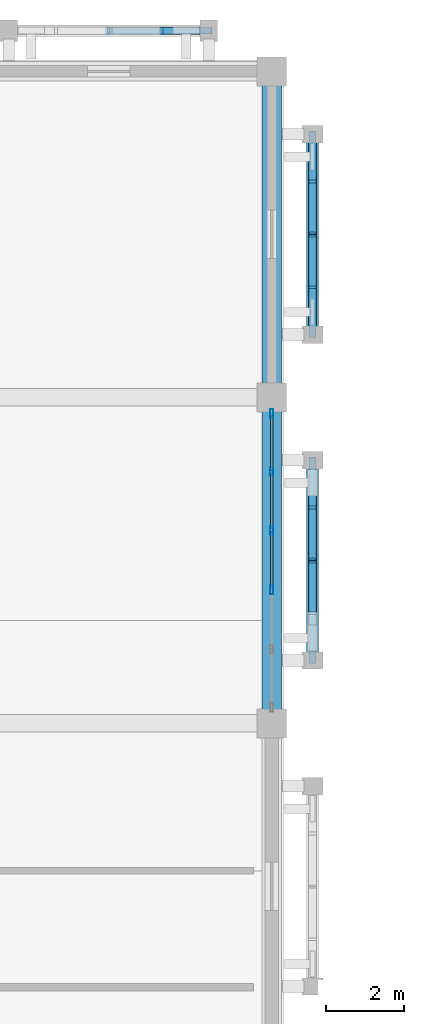
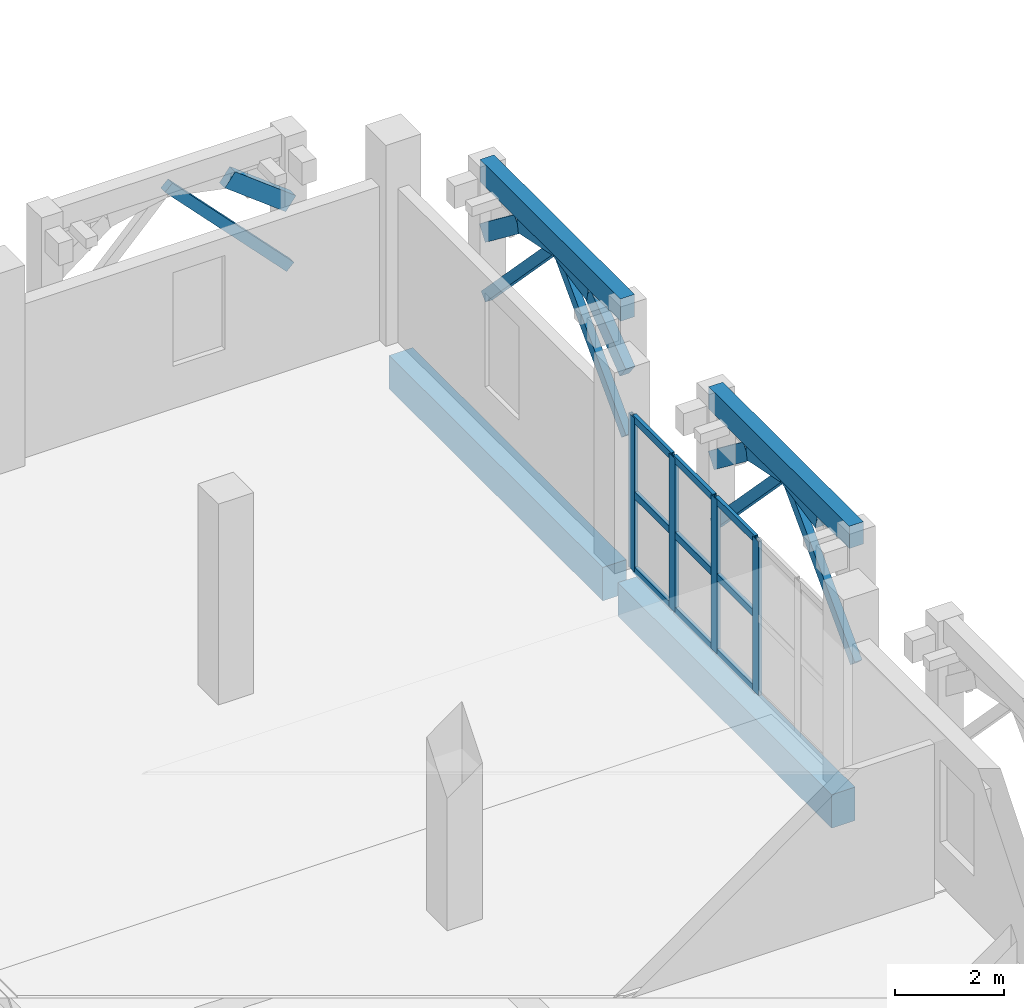
# One storey, part 58 of 114: 26 members, 4 beams, 1 element without a shape of its own.
"""IFC4 building model written with IfcOpenShell, lengths in metres."""

import ifcopenshell
import ifcopenshell.guid

model = None  # the IFC model being written
_history = None  # IfcOwnerHistory: only IFC2X3 demands one
_inside = {}  # id of a spatial element -> (the spatial element, [elements in it])
_under = {}  # id of a project, library or spatial element -> (it, [spatial elements below it])
_declared = {}  # id of a project -> (the project, [libraries it declares])
_typed = {}  # id of a type object -> (the type object, [elements of that type])
_made_of = {}  # id of a material, layer set ... -> (it, [elements and type objects made of it])


def new_model(schema):
    """Start an empty IFC model of exactly this schema.

    Asked for "IFC4X3", IfcOpenShell would pick the latest addendum, in which some entities
    have other attributes; the version numbers below select the first issue.
    IFC2X3 requires an IfcOwnerHistory on every rooted entity: one is made here for all.
    """
    global model, _history
    if schema == "IFC4X3":
        model = ifcopenshell.file(schema_version=(4, 3, 0, 0))
    else:
        model = ifcopenshell.file(schema=schema)
    _inside.clear()
    _under.clear()
    _declared.clear()
    _typed.clear()
    _made_of.clear()
    _history = None
    if model.schema == "IFC2X3":
        org = make("IfcOrganization", Name="unknown")
        user = make(
            "IfcPersonAndOrganization",
            ThePerson=make("IfcPerson", FamilyName="unknown"),
            TheOrganization=org,
        )
        app = make(
            "IfcApplication",
            ApplicationDeveloper=org,
            Version="unknown",
            ApplicationFullName="unknown",
            ApplicationIdentifier="unknown",
        )
        _history = make(
            "IfcOwnerHistory",
            OwningUser=user,
            OwningApplication=app,
            ChangeAction="ADDED",
            CreationDate=0,
        )
    return model


def make(cls, **values):
    """One entity of the class cls with the attributes given. An attribute that is None is left unset."""
    return model.create_entity(
        cls, **{name: value for name, value in values.items() if value is not None}
    )


def rooted(cls, **values):
    """An entity with a GlobalId (a new one), such as an element, a storey or a relation."""
    return make(cls, GlobalId=ifcopenshell.guid.new(), OwnerHistory=_history, **values)


def si_unit(unit_type, name, prefix=None):
    """IfcSIUnit, for example si_unit("LENGTHUNIT", "METRE", prefix="MILLI")."""
    return make("IfcSIUnit", UnitType=unit_type, Prefix=prefix, Name=name)


def assignment(units):
    """IfcUnitAssignment: the units of a project."""
    return None if units is None else make("IfcUnitAssignment", Units=units)


def point(xyz):
    """IfcCartesianPoint."""
    return None if xyz is None else make("IfcCartesianPoint", Coordinates=xyz)


def direction(xyz):
    """IfcDirection."""
    return None if xyz is None else make("IfcDirection", DirectionRatios=xyz)


def frame(location, z_axis=None, x_axis=None):
    """IfcAxis2Placement3D, a coordinate frame: its origin and axes. An axis left out is left unset."""
    return make(
        "IfcAxis2Placement3D",
        Location=point(location),
        Axis=direction(z_axis),
        RefDirection=direction(x_axis),
    )


def frame_2d(location, x_axis=None):
    """IfcAxis2Placement2D, a coordinate frame in the plane: its origin and x axis."""
    return make(
        "IfcAxis2Placement2D", Location=point(location), RefDirection=direction(x_axis)
    )


def origin():
    """The frame at (0, 0, 0) with its axes left unset."""
    return frame((0.0, 0.0, 0.0))


def origin_2d():
    """The frame at (0, 0) in the plane with its x axis left unset."""
    return frame_2d((0.0, 0.0))


def place(relative_to, where):
    """IfcLocalPlacement: puts the frame where relative to a parent placement (None: the world)."""
    return make(
        "IfcLocalPlacement", PlacementRelTo=relative_to, RelativePlacement=where
    )


def context(
    kind, dimensions, precision=None, world=None, true_north=None, identifier=None
):
    """IfcGeometricRepresentationContext, for example the 3D "Model" context."""
    return make(
        "IfcGeometricRepresentationContext",
        ContextIdentifier=identifier,
        ContextType=kind,
        CoordinateSpaceDimension=dimensions,
        Precision=precision,
        WorldCoordinateSystem=world,
        TrueNorth=true_north,
    )


def subcontext(parent, identifier, kind, view, scale=None):
    """IfcGeometricRepresentationSubContext, for example "Body" below "Model"."""
    return make(
        "IfcGeometricRepresentationSubContext",
        ContextIdentifier=identifier,
        ContextType=kind,
        ParentContext=parent,
        TargetScale=scale,
        TargetView=view,
    )


def project(units=None, contexts=None):
    """IfcProject with its units and contexts."""
    return rooted(
        "IfcProject",
        Name="project",
        RepresentationContexts=contexts,
        UnitsInContext=assignment(units),
    )


def spatial(cls, under=None, at=None, **own):
    """A site, building, storey or space (cls), placed at a placement, below another one or the project."""
    s = rooted(cls, ObjectPlacement=at, **own)
    if under is not None:
        _under.setdefault(under.id(), (under, []))[1].append(s)
    return s


def profile(cls, at=None, kind="AREA", **sizes):
    """A parametric profile (cls). Its sizes go by their IFC names, for example OverallWidth=200.0."""
    return make(cls, ProfileType=kind, Position=at, **sizes)


def rectangle(**sizes):
    """IfcRectangleProfileDef."""
    return profile("IfcRectangleProfileDef", **sizes)


def hollow_rectangle(**sizes):
    """IfcRectangleHollowProfileDef."""
    return profile("IfcRectangleHollowProfileDef", **sizes)


def extrude(swept, where, along, depth):
    """IfcExtrudedAreaSolid: the profile swept, set in the frame where, extruded along a direction by depth."""
    return make(
        "IfcExtrudedAreaSolid",
        SweptArea=swept,
        Position=where,
        ExtrudedDirection=direction(along),
        Depth=depth,
    )


def shape(context_of_items, identifier, shape_type, items):
    """IfcShapeRepresentation: the items that make up one representation, for example the "Body"."""
    return make(
        "IfcShapeRepresentation",
        ContextOfItems=context_of_items,
        RepresentationIdentifier=identifier,
        RepresentationType=shape_type,
        Items=items,
    )


def material(Name=None, Category=None):
    """IfcMaterial."""
    return make("IfcMaterial", Name=Name, Category=Category)


def layer(
    of_material, thickness, ventilated=None, Name=None, Category=None, Priority=None
):
    """IfcMaterialLayer: one layer of a wall or slab, of a material (None: an air gap)."""
    return make(
        "IfcMaterialLayer",
        Material=of_material,
        LayerThickness=thickness,
        IsVentilated=ventilated,
        Name=Name,
        Category=Category,
        Priority=Priority,
    )


def layer_set(layers, Name=None):
    """IfcMaterialLayerSet."""
    return make("IfcMaterialLayerSet", MaterialLayers=layers, LayerSetName=Name)


def material_profile(
    of_material, cross_section, Name=None, Category=None, Priority=None
):
    """IfcMaterialProfile: a cross section and its material."""
    return make(
        "IfcMaterialProfile",
        Name=Name,
        Material=of_material,
        Profile=cross_section,
        Priority=Priority,
        Category=Category,
    )


def profile_set(profiles, Name=None, composite=None):
    """IfcMaterialProfileSet."""
    return make(
        "IfcMaterialProfileSet",
        Name=Name,
        MaterialProfiles=profiles,
        CompositeProfile=composite,
    )


def made_of(thing, what):
    """Note that an element or type object is made of a material, layer set ...; save() writes the relation."""
    if what is not None:
        _made_of.setdefault(what.id(), (what, []))[1].append(thing)
    return thing


def type_object(cls, material=None, **own):
    """A type object (cls), such as IfcWallType, which elements share."""
    return made_of(rooted(cls, **own), material)


def element(
    cls,
    number,
    at=None,
    inside=None,
    cuts=None,
    type_object=None,
    material=None,
    context=None,
    identifier="Body",
    shape_type=None,
    held_by="IfcProductDefinitionShape",
    body=None,
    shapes=None,
    **own,
):
    """One element of the class cls, such as IfcWall. Its Tag is "e" and its number.

    at: its placement. inside: the storey or other place that contains it. cuts: it is an
    opening in that element (IfcRelVoidsElement). A single representation is given by context,
    identifier, shape_type and body (its items); several are given by shapes. held_by: the class
    of the entity that holds the representations. save() writes the other relations.
    """
    e = rooted(cls, Tag="e%d" % number, ObjectPlacement=at, **own)
    if body is not None:
        shapes = [shape(context, identifier, shape_type, body)]
    if shapes is not None:
        e.Representation = make(held_by, Representations=shapes)
    if inside is not None:
        _inside.setdefault(inside.id(), (inside, []))[1].append(e)
    if cuts is not None:
        rooted(
            "IfcRelVoidsElement", RelatingBuildingElement=cuts, RelatedOpeningElement=e
        )
    if type_object is not None:
        _typed.setdefault(type_object.id(), (type_object, []))[1].append(e)
    return made_of(e, material)


def aggregate(whole, parts):
    """IfcRelAggregates: a whole, such as a stair, and the parts it consists of."""
    return rooted("IfcRelAggregates", RelatingObject=whole, RelatedObjects=parts)


def save(model, path):
    """Write the relations noted so far, then the file.

    IfcRelAggregates (storeys below a building ...), IfcRelContainedInSpatialStructure (elements
    in a storey), IfcRelDefinesByType, IfcRelAssociatesMaterial and IfcRelDeclares: one each for
    every whole, place, type object, material and project.
    """
    for whole, parts in _under.values():
        aggregate(whole, parts)
    for where, things in _inside.values():
        rooted(
            "IfcRelContainedInSpatialStructure",
            RelatedElements=things,
            RelatingStructure=where,
        )
    for kind, things in _typed.values():
        rooted("IfcRelDefinesByType", RelatedObjects=things, RelatingType=kind)
    for what, things in _made_of.values():
        rooted("IfcRelAssociatesMaterial", RelatedObjects=things, RelatingMaterial=what)
    for by, libraries in _declared.values():
        rooted("IfcRelDeclares", RelatingContext=by, RelatedDefinitions=libraries)
    model.write(path)


model = new_model("IFC4")

# Units and contexts
model_context = context("Model", 3, precision=1e-05, world=origin(), true_north=direction((0.0, 1.0)))
body_context = subcontext(model_context, "Body", "Model", "MODEL_VIEW")
ifc_project = project(units=[si_unit("LENGTHUNIT", "METRE"), si_unit("AREAUNIT", "SQUARE_METRE"), si_unit("VOLUMEUNIT", "CUBIC_METRE"), si_unit("PLANEANGLEUNIT", "RADIAN"), si_unit("MASSUNIT", "GRAM", prefix="KILO")], contexts=[model_context])

# Site, building, storey
site_placement = place(None, origin())
site = spatial("IfcSite", under=ifc_project, at=site_placement, CompositionType="ELEMENT")
building_placement = place(site_placement, origin())
building = spatial("IfcBuilding", under=site, at=building_placement, Name="Xazarin Passage Department Store", CompositionType="ELEMENT")
storey_placement = place(building_placement, frame((0.0, 0.0, 14.39990234375)))
storey = spatial("IfcBuildingStorey", under=building, at=storey_placement, Name="L03", CompositionType="ELEMENT", Elevation=14.39990234375)

# Curtain wall, members
ifc_material_1 = material(Name="Bronze anodised aluminium", Category="aluminium")
ifc_layer = layer(ifc_material_1, 0.199951171875)
ifc_layer_set = layer_set([ifc_layer], Name="Bronze anodised aluminium")
curtain_wall_type = type_object("IfcCurtainWallType", Name="ARC-CW-VIT2", PredefinedType="NOTDEFINED", material=ifc_layer_set)
curtain_wall_placement = place(storey_placement, origin())
curtain_wall = element("IfcCurtainWall", 1, at=curtain_wall_placement, inside=storey, type_object=curtain_wall_type, Name="L03 V1 Curtain Wall 066", PredefinedType="NOTDEFINED")
ifc_material_profile_1 = material_profile(ifc_material_1, hollow_rectangle(XDim=0.074951171875, YDim=0.219970703125, WallThickness=0.0048828125, at=origin_2d()), Name="ALU 75x220")
ifc_profile_set_1 = profile_set([ifc_material_profile_1], Name="Bronze anodised aluminium")
member_type_1 = type_object("IfcMemberType", Name="ARC-CWM-75x220", PredefinedType="MULLION", material=ifc_profile_set_1)
member_1_placement = place(storey_placement, frame((50.39990234375, 96.635009765625, 0.0), z_axis=(0.0, 0.0, 1.0), x_axis=(-1.0, 0.0, 0.0)))
member_1 = element("IfcMember", 2, at=member_1_placement, type_object=member_type_1, Name="CW2 mullion 3", PredefinedType="MULLION", context=body_context, shape_type="SweptSolid", body=[
    extrude(hollow_rectangle(XDim=0.074951171875, YDim=0.219970703125, WallThickness=0.0048828125, at=origin_2d()), origin(), (0.0, 0.0, 1.0), 3.4501953125),
])
member_2_placement = place(storey_placement, frame((50.39990234375, 98.1650390625, 0.0), z_axis=(0.0, 0.0, 1.0), x_axis=(-1.0, 0.0, 0.0)))
member_2 = element("IfcMember", 3, at=member_2_placement, type_object=member_type_1, Name="CW2 mullion 4", PredefinedType="MULLION", context=body_context, shape_type="SweptSolid", body=[
    extrude(hollow_rectangle(XDim=0.074951171875, YDim=0.219970703125, WallThickness=0.0048828125, at=origin_2d()), origin(), (0.0, 0.0, 1.0), 3.4501953125),
])
member_3_placement = place(storey_placement, frame((50.39990234375, 99.695068359375, 0.0), z_axis=(0.0, 0.0, 1.0), x_axis=(-1.0, 0.0, 0.0)))
member_3 = element("IfcMember", 4, at=member_3_placement, type_object=member_type_1, Name="CW2 mullion 5", PredefinedType="MULLION", context=body_context, shape_type="SweptSolid", body=[
    extrude(hollow_rectangle(XDim=0.074951171875, YDim=0.219970703125, WallThickness=0.0048828125, at=origin_2d()), origin(), (0.0, 0.0, 1.0), 3.4501953125),
])
member_4_placement = place(storey_placement, frame((50.39990234375, 101.1875, 0.0), z_axis=(0.0, 0.0, 1.0), x_axis=(-1.0, 0.0, 0.0)))
member_4 = element("IfcMember", 5, at=member_4_placement, type_object=member_type_1, Name="CW2 mullion 6", PredefinedType="MULLION", context=body_context, shape_type="SweptSolid", body=[
    extrude(hollow_rectangle(XDim=0.074951171875, YDim=0.219970703125, WallThickness=0.0048828125, at=origin_2d()), origin(), (0.0, 0.0, 1.0), 3.4501953125),
])
ifc_material_profile_2 = material_profile(ifc_material_1, hollow_rectangle(XDim=0.074951171875, YDim=0.159912109375, WallThickness=0.00439453125, at=origin_2d()), Name="ALU 75x160")
ifc_profile_set_2 = profile_set([ifc_material_profile_2], Name="Bronze anodised aluminium")
member_type_2 = type_object("IfcMemberType", Name="ARC-CWT-75x160", PredefinedType="USERDEFINED", material=ifc_profile_set_2)
member_5_placement = place(storey_placement, frame((50.39990234375, 96.672607421875, 0.03759765625), z_axis=(0.0, 1.0, 0.0), x_axis=(-1.0, 0.0, 0.0)))
member_5 = element("IfcMember", 6, at=member_5_placement, type_object=member_type_2, Name="CW2 transom 3.1", ObjectType="TRANSOM", PredefinedType="USERDEFINED", context=body_context, shape_type="SweptSolid", body=[
    extrude(hollow_rectangle(XDim=0.074951171875, YDim=0.159912109375, WallThickness=0.00439453125, at=origin_2d()), origin(), (0.0, 0.0, 1.0), 1.454833984375),
])
member_6_placement = place(storey_placement, frame((50.39990234375, 96.672607421875, 1.72509765625), z_axis=(0.0, 1.0, 0.0), x_axis=(-1.0, 0.0, 0.0)))
member_6 = element("IfcMember", 7, at=member_6_placement, type_object=member_type_2, Name="CW2 transom 3.2", ObjectType="TRANSOM", PredefinedType="USERDEFINED", context=body_context, shape_type="SweptSolid", body=[
    extrude(hollow_rectangle(XDim=0.074951171875, YDim=0.159912109375, WallThickness=0.00439453125, at=origin_2d()), origin(), (0.0, 0.0, 1.0), 1.454833984375),
])
member_7_placement = place(storey_placement, frame((50.39990234375, 96.672607421875, 3.41259765625), z_axis=(0.0, 1.0, 0.0), x_axis=(-1.0, 0.0, 0.0)))
member_7 = element("IfcMember", 8, at=member_7_placement, type_object=member_type_2, Name="CW2 transom 3.3", ObjectType="TRANSOM", PredefinedType="USERDEFINED", context=body_context, shape_type="SweptSolid", body=[
    extrude(hollow_rectangle(XDim=0.074951171875, YDim=0.159912109375, WallThickness=0.00439453125, at=origin_2d()), origin(), (0.0, 0.0, 1.0), 1.454833984375),
])
member_8_placement = place(storey_placement, frame((50.39990234375, 98.202392578125, 0.03759765625), z_axis=(0.0, 1.0, 0.0), x_axis=(-1.0, 0.0, 0.0)))
member_8 = element("IfcMember", 9, at=member_8_placement, type_object=member_type_2, Name="CW2 transom 4.1", ObjectType="TRANSOM", PredefinedType="USERDEFINED", context=body_context, shape_type="SweptSolid", body=[
    extrude(hollow_rectangle(XDim=0.074951171875, YDim=0.159912109375, WallThickness=0.00439453125, at=origin_2d()), origin(), (0.0, 0.0, 1.0), 1.455078125),
])
member_9_placement = place(storey_placement, frame((50.39990234375, 98.202392578125, 1.72509765625), z_axis=(0.0, 1.0, 0.0), x_axis=(-1.0, 0.0, 0.0)))
member_9 = element("IfcMember", 10, at=member_9_placement, type_object=member_type_2, Name="CW2 transom 4.2", ObjectType="TRANSOM", PredefinedType="USERDEFINED", context=body_context, shape_type="SweptSolid", body=[
    extrude(hollow_rectangle(XDim=0.074951171875, YDim=0.159912109375, WallThickness=0.00439453125, at=origin_2d()), origin(), (0.0, 0.0, 1.0), 1.455078125),
])
member_10_placement = place(storey_placement, frame((50.39990234375, 98.202392578125, 3.41259765625), z_axis=(0.0, 1.0, 0.0), x_axis=(-1.0, 0.0, 0.0)))
member_10 = element("IfcMember", 11, at=member_10_placement, type_object=member_type_2, Name="CW2 transom 4.3", ObjectType="TRANSOM", PredefinedType="USERDEFINED", context=body_context, shape_type="SweptSolid", body=[
    extrude(hollow_rectangle(XDim=0.074951171875, YDim=0.159912109375, WallThickness=0.00439453125, at=origin_2d()), origin(), (0.0, 0.0, 1.0), 1.455078125),
])
member_11_placement = place(storey_placement, frame((50.39990234375, 99.732421875, 0.03759765625), z_axis=(0.0, 1.0, 0.0), x_axis=(-1.0, 0.0, 0.0)))
member_11 = element("IfcMember", 12, at=member_11_placement, type_object=member_type_2, Name="CW2 transom 5.1", ObjectType="TRANSOM", PredefinedType="USERDEFINED", context=body_context, shape_type="SweptSolid", body=[
    extrude(hollow_rectangle(XDim=0.074951171875, YDim=0.159912109375, WallThickness=0.00439453125, at=origin_2d()), origin(), (0.0, 0.0, 1.0), 1.41748046875),
])
member_12_placement = place(storey_placement, frame((50.39990234375, 99.732421875, 1.72509765625), z_axis=(0.0, 1.0, 0.0), x_axis=(-1.0, 0.0, 0.0)))
member_12 = element("IfcMember", 13, at=member_12_placement, type_object=member_type_2, Name="CW2 transom 5.2", ObjectType="TRANSOM", PredefinedType="USERDEFINED", context=body_context, shape_type="SweptSolid", body=[
    extrude(hollow_rectangle(XDim=0.074951171875, YDim=0.159912109375, WallThickness=0.00439453125, at=origin_2d()), origin(), (0.0, 0.0, 1.0), 1.41748046875),
])
member_13_placement = place(storey_placement, frame((50.39990234375, 99.732421875, 3.41259765625), z_axis=(0.0, 1.0, 0.0), x_axis=(-1.0, 0.0, 0.0)))
member_13 = element("IfcMember", 14, at=member_13_placement, type_object=member_type_2, Name="CW2 transom 5.3", ObjectType="TRANSOM", PredefinedType="USERDEFINED", context=body_context, shape_type="SweptSolid", body=[
    extrude(hollow_rectangle(XDim=0.074951171875, YDim=0.159912109375, WallThickness=0.00439453125, at=origin_2d()), origin(), (0.0, 0.0, 1.0), 1.41748046875),
])
aggregate(curtain_wall, [member_1, member_2, member_3, member_4, member_5, member_6, member_7, member_8, member_9, member_10, member_11, member_12, member_13])

# Beams
ifc_material_2 = material(Name="Concrete C35/45", Category="concrete")
ifc_material_profile_3 = material_profile(ifc_material_2, rectangle(XDim=0.300048828125, YDim=0.5, at=origin_2d()), Name="RC 300x500")
ifc_profile_set_3 = profile_set([ifc_material_profile_3], Name="Concrete C35/45")
beam_type_1 = type_object("IfcBeamType", Name="STR-BM-LN300x500", PredefinedType="LINTEL", material=ifc_profile_set_3)
for number, where, z_axis, x_axis, name in (
    (15, (51.449951171875, 94.820068359375, 4.25), (0.0, 1.0, 0.0), (-1.0, 0.0, 0.0), "L03 V1 Colonnade Spandrel Beam 015"),
    (16, (51.449951171875, 103.219970703125, 4.25), (0.0, 1.0, 0.0), (-1.0, 0.0, 0.0), "L03 V1 Colonnade Spandrel Beam 016"),
):
    element("IfcBeam", number, at=place(storey_placement, frame(where, z_axis=z_axis, x_axis=x_axis)), inside=storey, type_object=beam_type_1, Name=name, PredefinedType="LINTEL", context=body_context, shape_type="SweptSolid", body=[
        extrude(rectangle(XDim=0.300048828125, YDim=0.5, at=origin_2d()), origin(), (0.0, 0.0, 1.0), 5.159912109375),
    ])
ifc_material_profile_4 = material_profile(ifc_material_2, rectangle(XDim=0.5, YDim=0.75, at=origin_2d()), Name="RC 500x750")
ifc_profile_set_4 = profile_set([ifc_material_profile_4], Name="Concrete C35/45")
beam_type_2 = type_object("IfcBeamType", Name="STR-BM-SP500x750", PredefinedType="SPANDREL", material=ifc_profile_set_4)
for number, where, z_axis, x_axis, name in (
    (17, (50.39990234375, 93.47998046875, -0.6748046875), (0.0, 1.0, 0.0), (-1.0, 0.0, 0.0), "L03 Grid Beam 7/N-P"),
    (18, (50.39990234375, 101.8798828125, -0.6748046875), (0.0, 1.0, 0.0), (-1.0, 0.0, 0.0), "L03 Grid Beam 7/P-Q"),
):
    element("IfcBeam", number, at=place(storey_placement, frame(where, z_axis=z_axis, x_axis=x_axis)), inside=storey, type_object=beam_type_2, Name=name, PredefinedType="SPANDREL", context=body_context, shape_type="SweptSolid", body=[
        extrude(rectangle(XDim=0.5, YDim=0.75, at=origin_2d()), origin(), (0.0, 0.0, 1.0), 7.840087890625),
    ])

# Members
ifc_material_3 = material(Name="Concrete C40/50", Category="concrete")
ifc_material_profile_5 = material_profile(ifc_material_3, rectangle(XDim=0.199951171875, YDim=0.360107421875, at=origin_2d()), Name="RC 200x360")
ifc_profile_set_5 = profile_set([ifc_material_profile_5], Name="Concrete C40/50")
member_type_3 = type_object("IfcMemberType", Name="STR-MEM-ARC360", PredefinedType="CHORD", material=ifc_profile_set_5)
member_14_placement = place(storey_placement, frame((47.489990234375, 111.050048828125, 3.81640625), z_axis=(0.79440903847, 0.0, -0.607383140692), x_axis=(0.0, 1.0, 0.0)))
element("IfcMember", 19, at=member_14_placement, inside=storey, type_object=member_type_3, Name="L03 V1 Pierced Lattice Curved Arch 004.4", PredefinedType="CHORD", context=body_context, shape_type="SweptSolid", body=[
    extrude(rectangle(XDim=0.199951171875, YDim=0.360107421875, at=origin_2d()), origin(), (0.0, 0.0, 1.0), 1.623779296875),
])
member_15_placement = place(storey_placement, frame((51.449951171875, 96.110107421875, 3.81640625), z_axis=(0.0, 0.979737268571, 0.2002870055), x_axis=(-1.0, 0.0, 0.0)))
element("IfcMember", 20, at=member_15_placement, inside=storey, type_object=member_type_3, Name="L03 V1 Pierced Lattice Curved Arch 015.2", PredefinedType="CHORD", context=body_context, shape_type="SweptSolid", body=[
    extrude(rectangle(XDim=0.199951171875, YDim=0.360107421875, at=origin_2d()), origin(), (0.0, 0.0, 1.0), 1.31640625),
])
member_16_placement = place(storey_placement, frame((51.449951171875, 97.39990234375, 4.080078125), z_axis=(0.0, 0.979744705887, -0.200250621188), x_axis=(-1.0, 0.0, 0.0)))
element("IfcMember", 21, at=member_16_placement, inside=storey, type_object=member_type_3, Name="L03 V1 Pierced Lattice Curved Arch 015.3", PredefinedType="CHORD", context=body_context, shape_type="SweptSolid", body=[
    extrude(rectangle(XDim=0.199951171875, YDim=0.360107421875, at=origin_2d()), origin(), (0.0, 0.0, 1.0), 1.316650390625),
])
for number, where, z_axis, x_axis, name in (
    (22, (51.449951171875, 98.68994140625, 3.81640625), (0.0, 0.79440903847, -0.607383140692), (-1.0, 0.0, 0.0), "L03 V1 Pierced Lattice Curved Arch 015.4"),
    (23, (51.449951171875, 103.219970703125, 2.830078125), (0.0, 0.79440903847, 0.607383140692), (-1.0, 0.0, 0.0), "L03 V1 Pierced Lattice Curved Arch 016.1"),
):
    element("IfcMember", number, at=place(storey_placement, frame(where, z_axis=z_axis, x_axis=x_axis)), inside=storey, type_object=member_type_3, Name=name, PredefinedType="CHORD", context=body_context, shape_type="SweptSolid", body=[
        extrude(rectangle(XDim=0.199951171875, YDim=0.360107421875, at=origin_2d()), origin(), (0.0, 0.0, 1.0), 1.623779296875),
    ])
for number, where, z_axis, x_axis, name in (
    (24, (51.449951171875, 104.510009765625, 3.81640625), (0.0, 0.979744705887, 0.200250621188), (-1.0, 0.0, 0.0), "L03 V1 Pierced Lattice Curved Arch 016.2"),
    (25, (51.449951171875, 105.800048828125, 4.080078125), (0.0, 0.979744705887, -0.200250621188), (-1.0, 0.0, 0.0), "L03 V1 Pierced Lattice Curved Arch 016.3"),
):
    element("IfcMember", number, at=place(storey_placement, frame(where, z_axis=z_axis, x_axis=x_axis)), inside=storey, type_object=member_type_3, Name=name, PredefinedType="CHORD", context=body_context, shape_type="SweptSolid", body=[
        extrude(rectangle(XDim=0.199951171875, YDim=0.360107421875, at=origin_2d()), origin(), (0.0, 0.0, 1.0), 1.316650390625),
    ])
member_17_placement = place(storey_placement, frame((51.449951171875, 107.090087890625, 3.81640625), z_axis=(0.0, 0.794353565088, -0.607455688616), x_axis=(-1.0, 0.0, 0.0)))
element("IfcMember", 26, at=member_17_placement, inside=storey, type_object=member_type_3, Name="L03 V1 Pierced Lattice Curved Arch 016.4", PredefinedType="CHORD", context=body_context, shape_type="SweptSolid", body=[
    extrude(rectangle(XDim=0.199951171875, YDim=0.360107421875, at=origin_2d()), origin(), (0.0, 0.0, 1.0), 1.623779296875),
])
ifc_material_profile_6 = material_profile(ifc_material_3, rectangle(XDim=0.159912109375, YDim=0.219970703125, at=origin_2d()), Name="RC 160x220")
ifc_profile_set_6 = profile_set([ifc_material_profile_6], Name="Concrete C40/50")
member_type_4 = type_object("IfcMemberType", Name="STR-MEM-TRC220", PredefinedType="CHORD", material=ifc_profile_set_6)
for number, where, z_axis, x_axis, name in (
    (27, (46.199951171875, 111.050048828125, 4.080078125), (0.693558444435, 0.0, -0.720400363793), (0.0, 1.0, 0.0), "L03 V1 Upper Lattice Tracery Arch 004R"),
    (28, (51.449951171875, 97.39990234375, 4.080078125), (0.0, -0.693524382622, -0.72043315492), (1.0, 0.0, 0.0), "L03 V1 Upper Lattice Tracery Arch 015L"),
    (29, (51.449951171875, 97.39990234375, 4.080078125), (0.0, 0.693558444435, -0.720400363793), (-1.0, 0.0, 0.0), "L03 V1 Upper Lattice Tracery Arch 015R"),
    (30, (51.449951171875, 105.800048828125, 4.080078125), (0.0, -0.693558444435, -0.720400363793), (1.0, 0.0, 0.0), "L03 V1 Upper Lattice Tracery Arch 016L"),
    (31, (51.449951171875, 105.800048828125, 4.080078125), (0.0, 0.693524382622, -0.72043315492), (-1.0, 0.0, 0.0), "L03 V1 Upper Lattice Tracery Arch 016R"),
):
    element("IfcMember", number, at=place(storey_placement, frame(where, z_axis=z_axis, x_axis=x_axis)), inside=storey, type_object=member_type_4, Name=name, PredefinedType="CHORD", context=body_context, shape_type="SweptSolid", body=[
        extrude(rectangle(XDim=0.159912109375, YDim=0.219970703125, at=origin_2d()), origin(), (0.0, 0.0, 1.0), 3.719970703125),
    ])

save(model, "model.ifc")
